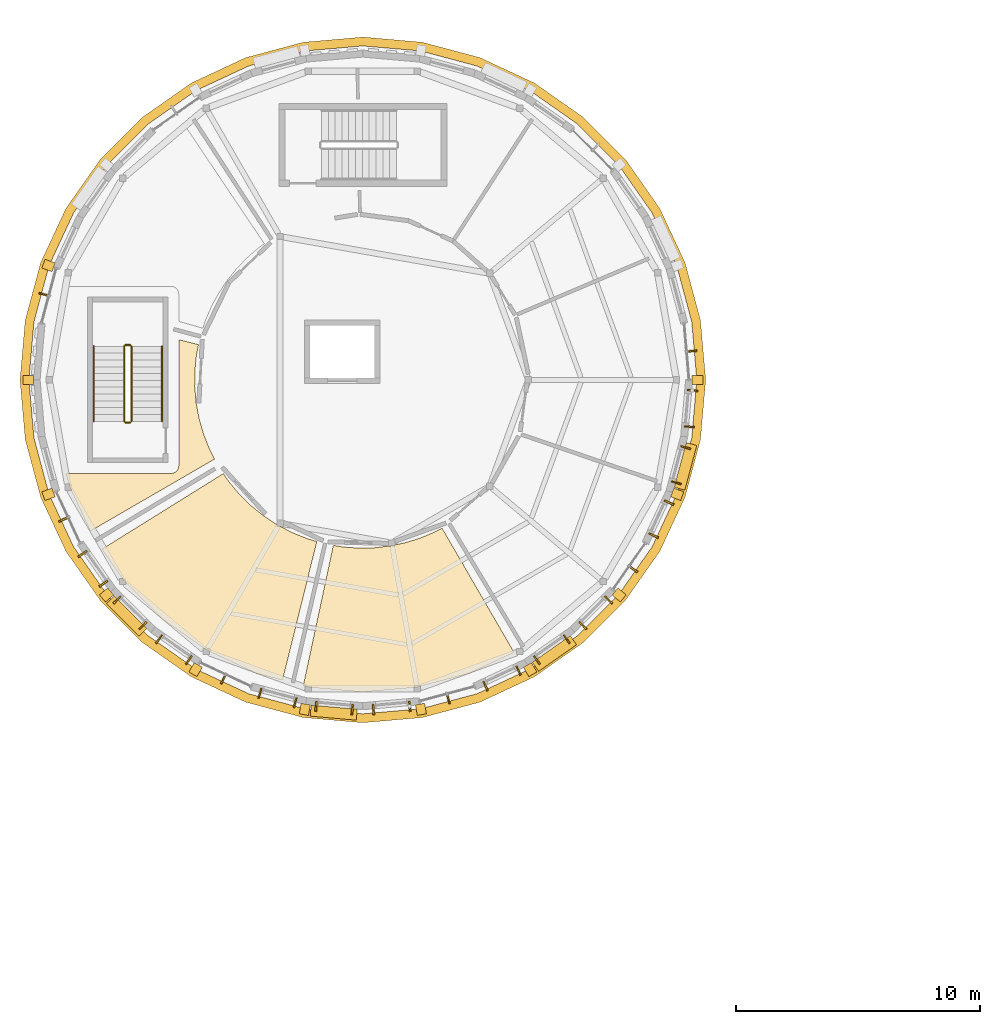
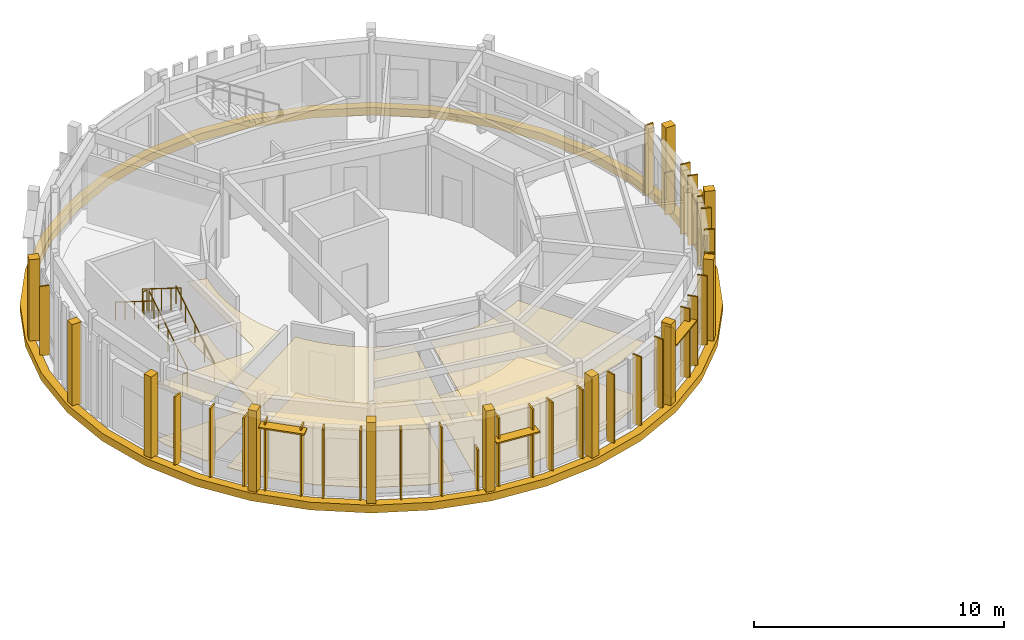
# One storey, part 28 of 30: 34 shading devices, 18 coverings, 6 railings.
"""IFC4 building model written with IfcOpenShell, lengths in metres."""

from ifc_helpers import new_model, si_unit, direction, frame, origin, origin_2d, place, context, subcontext, project, spatial, polyline, rectangle, circle, outline, extrude, material, layer, layer_set, type_object, element, save


model = new_model("IFC4")

# Units and contexts
model_context = context("Model", 3, precision=1e-05, world=origin(), true_north=direction((0.0, 1.0)))
body_context = subcontext(model_context, "Body", "Model", "MODEL_VIEW")
ifc_project = project(units=[si_unit("LENGTHUNIT", "METRE"), si_unit("AREAUNIT", "SQUARE_METRE"), si_unit("VOLUMEUNIT", "CUBIC_METRE"), si_unit("PLANEANGLEUNIT", "RADIAN"), si_unit("MASSUNIT", "GRAM", prefix="KILO")], contexts=[model_context])

# Site, building, storey
site_placement = place(None, origin())
site = spatial("IfcSite", under=ifc_project, at=site_placement, CompositionType="ELEMENT")
building_placement = place(site_placement, origin())
building = spatial("IfcBuilding", under=site, at=building_placement, Name="Aldenvaro Health Centre", CompositionType="ELEMENT")
storey_placement = place(building_placement, frame((0.0, 0.0, 17.14990234375)))
storey = spatial("IfcBuildingStorey", under=building, at=storey_placement, Name="L04", CompositionType="ELEMENT", Elevation=17.14990234375)

# Coverings
ifc_material_1 = material(Name="Antimicrobial Mineral Fibre Ceiling")
ifc_layer_1 = layer(ifc_material_1, 0.01806640625, Name="Antimicrobial Mineral Fibre Ceiling")
ifc_layer_set_1 = layer_set([ifc_layer_1], Name="Antimicrobial Mineral Fibre Ceiling")
covering_type_1 = type_object("IfcCoveringType", Name="COV-CLG-ACT18", PredefinedType="CEILING", material=ifc_layer_set_1)
covering_1_placement = place(storey_placement, frame((0.0, 0.0, 2.75)))
element("IfcCovering", 1, at=covering_1_placement, inside=storey, type_object=covering_type_1, Name="D4-L04-R02 Suspended Ceiling", PredefinedType="CEILING", context=body_context, shape_type="SweptSolid", body=[
    extrude(outline(polyline([(7.305908203125, 93.2880859375), (6.4541015625, 95.115966796875), (6.30810546875, 95.659912109375), (10.6201171875, 95.659912109375), (10.632080078125, 95.659912109375), (10.639892578125, 95.660888671875), (10.6630859375, 95.6630859375), (10.6708984375, 95.6640625), (10.694091796875, 95.6689453125), (10.701904296875, 95.6708984375), (10.72412109375, 95.677001953125), (10.73095703125, 95.679931640625), (10.7529296875, 95.68896484375), (10.760009765625, 95.69189453125), (10.781005859375, 95.7041015625), (10.7880859375, 95.7080078125), (10.806884765625, 95.720947265625), (10.81396484375, 95.72509765625), (10.83203125, 95.739990234375), (10.837890625, 95.74609375), (10.85400390625, 95.761962890625), (10.860107421875, 95.76806640625), (10.875, 95.785888671875), (10.87890625, 95.79296875), (10.89208984375, 95.81201171875), (10.89599609375, 95.819091796875), (10.907958984375, 95.840087890625), (10.910888671875, 95.846923828125), (10.919921875, 95.868896484375), (10.923095703125, 95.8759765625), (10.928955078125, 95.89794921875), (10.930908203125, 95.906005859375), (10.93603515625, 95.928955078125), (10.93701171875, 95.93701171875), (10.93896484375, 95.9599609375), (10.93994140625, 95.968017578125), (10.93994140625, 95.97998046875), (10.93994140625, 101.15087890625), (11.7509765625, 100.947998046875), (11.6689453125, 100.5419921875), (11.666015625, 100.51904296875), (11.60107421875, 99.87890625), (11.59912109375, 99.85595703125), (11.595947265625, 99.212890625), (11.596923828125, 99.18994140625), (11.656005859375, 98.550048828125), (11.658935546875, 98.527099609375), (11.779052734375, 97.89501953125), (11.784912109375, 97.873046875), (11.965087890625, 97.256103515625), (11.971923828125, 97.23388671875), (12.2109375, 96.636962890625), (12.220947265625, 96.615966796875), (12.410888671875, 96.248046875), (7.305908203125, 93.2880859375)])), origin(), (0.0, 0.0, 1.0), 0.01806640625),
])
covering_2_placement = place(storey_placement, frame((0.0, 0.0, 2.75)))
element("IfcCovering", 2, at=covering_2_placement, inside=storey, type_object=covering_type_1, Name="D4-L04-R03 Suspended Ceiling", PredefinedType="CEILING", context=body_context, shape_type="SweptSolid", body=[
    extrude(outline(polyline([(13.006103515625, 95.31005859375), (13.02001953125, 95.2919921875), (13.43505859375, 94.800048828125), (13.449951171875, 94.783935546875), (13.910888671875, 94.3349609375), (13.927978515625, 94.319091796875), (14.428955078125, 93.9169921875), (14.447998046875, 93.903076171875), (14.986083984375, 93.551025390625), (15.006103515625, 93.5390625), (15.574951171875, 93.239990234375), (15.595947265625, 93.22998046875), (16.19091796875, 92.987060546875), (16.212890625, 92.97998046875), (16.610107421875, 92.861083984375), (15.199951171875, 87.1640625), (14.115966796875, 87.4541015625), (12.091064453125, 88.39794921875), (10.260009765625, 89.679931640625), (8.679931640625, 91.260009765625), (7.780029296875, 92.544921875), (12.77001953125, 95.65087890625), (13.006103515625, 95.31005859375)])), origin(), (0.0, 0.0, 1.0), 0.01806640625),
])
covering_3_placement = place(storey_placement, frame((0.0, 0.0, 2.75)))
element("IfcCovering", 3, at=covering_3_placement, inside=storey, type_object=covering_type_1, Name="D4-L04-R04 Suspended Ceiling", PredefinedType="CEILING", context=body_context, shape_type="SweptSolid", body=[
    extrude(outline(polyline([(17.66796875, 92.64111328125), (17.68994140625, 92.637939453125), (18.302001953125, 92.593017578125), (18.323974609375, 92.592041015625), (18.93798828125, 92.60400390625), (18.9599609375, 92.60595703125), (19.570068359375, 92.674072265625), (19.592041015625, 92.677001953125), (20.193115234375, 92.801025390625), (20.214111328125, 92.805908203125), (20.802001953125, 92.985107421875), (20.822998046875, 92.991943359375), (21.39111328125, 93.22412109375), (21.410888671875, 93.23291015625), (21.751953125, 93.410888671875), (24.7119140625, 88.305908203125), (22.884033203125, 87.4541015625), (20.72607421875, 86.8759765625), (18.5, 86.680908203125), (16.27392578125, 86.8759765625), (16.052001953125, 86.93603515625), (17.2880859375, 92.7041015625), (17.66796875, 92.64111328125)])), origin(), (0.0, 0.0, 1.0), 0.01806640625),
])
ifc_material_2 = material(Name="Honed Sonoran Buff Limestone", Category="masonry")
ifc_layer_2 = layer(ifc_material_2, 0.280029296875, Name="Honed Sonoran Buff Limestone", Category="masonry")
ifc_layer_set_2 = layer_set([ifc_layer_2], Name="Honed Sonoran Buff Limestone")
covering_type_2 = type_object("IfcCoveringType", Name="COV-CRN-STN", PredefinedType="CLADDING", material=ifc_layer_set_2)
covering_4_placement = place(storey_placement, frame((0.0, 0.0, -0.33984375)))
element("IfcCovering", 4, at=covering_4_placement, inside=storey, type_object=covering_type_2, Name="D4 L04 Classical Stone Entablature Cornice 1", PredefinedType="CLADDING", context=body_context, shape_type="SweptSolid", body=[
    extrude(outline(polyline([(32.580078125, 99.5), (32.365966796875, 101.945068359375), (31.73095703125, 104.31591796875), (30.694091796875, 106.5400390625), (29.285888671875, 108.550048828125), (27.550048828125, 110.285888671875), (25.5400390625, 111.694091796875), (23.31591796875, 112.73095703125), (20.945068359375, 113.365966796875), (18.5, 113.580078125), (16.054931640625, 113.365966796875), (13.68408203125, 112.73095703125), (11.4599609375, 111.694091796875), (9.449951171875, 110.285888671875), (7.714111328125, 108.550048828125), (6.305908203125, 106.5400390625), (5.26904296875, 104.31591796875), (4.634033203125, 101.945068359375), (4.419921875, 99.5), (4.634033203125, 97.054931640625), (5.26904296875, 94.68408203125), (6.305908203125, 92.4599609375), (7.714111328125, 90.449951171875), (9.449951171875, 88.714111328125), (11.4599609375, 87.305908203125), (13.68408203125, 86.26904296875), (16.054931640625, 85.634033203125), (18.5, 85.419921875), (20.945068359375, 85.634033203125), (23.31591796875, 86.26904296875), (25.5400390625, 87.305908203125), (27.550048828125, 88.714111328125), (29.285888671875, 90.449951171875), (30.694091796875, 92.4599609375), (31.73095703125, 94.68408203125), (32.365966796875, 97.054931640625), (32.580078125, 99.5)]), holes=[polyline([(32.215087890625, 99.5), (32.007080078125, 97.117919921875), (31.387939453125, 94.80908203125), (30.3779296875, 92.64208984375), (29.006103515625, 90.68408203125), (27.31591796875, 88.993896484375), (25.35791015625, 87.6220703125), (23.19091796875, 86.612060546875), (20.882080078125, 85.992919921875), (18.5, 85.784912109375), (16.117919921875, 85.992919921875), (13.80908203125, 86.612060546875), (11.64208984375, 87.6220703125), (9.68408203125, 88.993896484375), (7.993896484375, 90.68408203125), (6.6220703125, 92.64208984375), (5.612060546875, 94.80908203125), (4.992919921875, 97.117919921875), (4.784912109375, 99.5), (4.992919921875, 101.882080078125), (5.612060546875, 104.19091796875), (6.6220703125, 106.35791015625), (7.993896484375, 108.31591796875), (9.68408203125, 110.006103515625), (11.64306640625, 111.3779296875), (13.80908203125, 112.387939453125), (16.117919921875, 113.007080078125), (18.5, 113.215087890625), (20.882080078125, 113.007080078125), (23.19091796875, 112.387939453125), (25.35791015625, 111.3779296875), (27.31591796875, 110.006103515625), (29.006103515625, 108.31591796875), (30.3779296875, 106.35791015625), (31.387939453125, 104.19091796875), (32.007080078125, 101.882080078125), (32.215087890625, 99.5)])]), origin(), (0.0, 0.0, 1.0), 0.3798828125),
])
for number, where, z_axis, x_axis, name in (
    (5, (32.239990234375, 99.5, -0.00048828125), (0.0, 0.0, 1.0), (1.0, 0.0, 0.0), "D4 L04 Engaged Classical Limestone Pilaster 01"),
    (6, (31.410888671875, 94.801025390625, -0.00048828125), (0.0, 0.0, 1.0), (0.939695335552, -0.342012684476, 0.0), "D4 L04 Engaged Classical Limestone Pilaster 02"),
    (7, (29.02587890625, 90.66796875, -0.00048828125), (0.0, 0.0, 1.0), (0.766057587935, -0.642771943979, 0.0), "D4 L04 Engaged Classical Limestone Pilaster 03"),
    (8, (25.3701171875, 87.60107421875, -0.00048828125), (0.0, 0.0, 1.0), (0.499991611653, -0.866030246745, 0.0), "D4 L04 Engaged Classical Limestone Pilaster 04"),
    (9, (20.885986328125, 85.968994140625, -0.00048828125), (0.0, 0.0, 1.0), (0.173661868999, -0.984805338763, 0.0), "D4 L04 Engaged Classical Limestone Pilaster 05"),
    (10, (16.114013671875, 85.968994140625, -0.00048828125), (0.0, 0.0, 1.0), (-0.173661868999, -0.984805338763, 0.0), "D4 L04 Engaged Classical Limestone Pilaster 06"),
    (11, (11.6298828125, 87.60107421875, -0.00048828125), (0.0, 0.0, 1.0), (-0.499991611653, -0.866030246745, 0.0), "D4 L04 Engaged Classical Limestone Pilaster 07"),
    (12, (7.97412109375, 90.66796875, -0.00048828125), (0.0, 0.0, 1.0), (-0.766057587935, -0.642771943979, 0.0), "D4 L04 Engaged Classical Limestone Pilaster 08"),
    (13, (5.589111328125, 94.801025390625, -0.00048828125), (0.0, 0.0, 1.0), (-0.939695335552, -0.342012684476, 0.0), "D4 L04 Engaged Classical Limestone Pilaster 09"),
    (14, (4.760009765625, 99.5, -0.00048828125), (0.0, 0.0, 1.0), (-1.0, 0.0, 0.0), "D4 L04 Engaged Classical Limestone Pilaster 10"),
    (15, (5.589111328125, 104.198974609375, -0.00048828125), (0.0, 0.0, 1.0), (-0.939695335552, 0.342012684476, 0.0), "D4 L04 Engaged Classical Limestone Pilaster 11"),
):
    element("IfcCovering", number, at=place(storey_placement, frame(where, z_axis=z_axis, x_axis=x_axis)), inside=storey, type_object=covering_type_2, Name=name, PredefinedType="CLADDING", context=body_context, shape_type="SweptSolid", body=[
        extrude(rectangle(XDim=0.43994140625, YDim=0.3798828125, at=origin_2d()), origin(), (0.0, 0.0, 1.0), 4.014892578125),
    ])
ifc_material_3 = material(Name="Polished Epoxy Terrazzo Flooring")
ifc_layer_3 = layer(ifc_material_3, 0.02197265625, Name="Polished Epoxy Terrazzo Flooring")
ifc_layer_set_3 = layer_set([ifc_layer_3], Name="Polished Epoxy Terrazzo Flooring")
covering_type_3 = type_object("IfcCoveringType", Name="COV-FLR-TER22", PredefinedType="FLOORING", material=ifc_layer_set_3)
covering_5_placement = place(storey_placement, origin())
element("IfcCovering", 16, at=covering_5_placement, inside=storey, type_object=covering_type_3, Name="D4-L04-R02 Flooring", PredefinedType="FLOORING", context=body_context, shape_type="SweptSolid", body=[
    extrude(outline(polyline([(7.305908203125, 93.2880859375), (6.4541015625, 95.115966796875), (6.30810546875, 95.659912109375), (10.6201171875, 95.659912109375), (10.632080078125, 95.659912109375), (10.639892578125, 95.660888671875), (10.6630859375, 95.6630859375), (10.6708984375, 95.6640625), (10.694091796875, 95.6689453125), (10.701904296875, 95.6708984375), (10.72412109375, 95.677001953125), (10.73095703125, 95.679931640625), (10.7529296875, 95.68896484375), (10.760009765625, 95.69189453125), (10.781005859375, 95.7041015625), (10.7880859375, 95.7080078125), (10.806884765625, 95.720947265625), (10.81396484375, 95.72509765625), (10.83203125, 95.739990234375), (10.837890625, 95.74609375), (10.85400390625, 95.761962890625), (10.860107421875, 95.76806640625), (10.875, 95.785888671875), (10.87890625, 95.79296875), (10.89208984375, 95.81201171875), (10.89599609375, 95.819091796875), (10.907958984375, 95.840087890625), (10.910888671875, 95.846923828125), (10.919921875, 95.868896484375), (10.923095703125, 95.8759765625), (10.928955078125, 95.89794921875), (10.930908203125, 95.906005859375), (10.93603515625, 95.928955078125), (10.93701171875, 95.93701171875), (10.93896484375, 95.9599609375), (10.93994140625, 95.968017578125), (10.93994140625, 95.97998046875), (10.93994140625, 101.15087890625), (11.7509765625, 100.947998046875), (11.6689453125, 100.5419921875), (11.666015625, 100.51904296875), (11.60107421875, 99.87890625), (11.59912109375, 99.85595703125), (11.595947265625, 99.212890625), (11.596923828125, 99.18994140625), (11.656005859375, 98.550048828125), (11.658935546875, 98.527099609375), (11.779052734375, 97.89501953125), (11.784912109375, 97.873046875), (11.965087890625, 97.256103515625), (11.971923828125, 97.23388671875), (12.2109375, 96.636962890625), (12.220947265625, 96.615966796875), (12.410888671875, 96.248046875), (7.305908203125, 93.2880859375)])), origin(), (0.0, 0.0, 1.0), 0.022216796875),
])
covering_6_placement = place(storey_placement, origin())
element("IfcCovering", 17, at=covering_6_placement, inside=storey, type_object=covering_type_3, Name="D4-L04-R03 Flooring", PredefinedType="FLOORING", context=body_context, shape_type="SweptSolid", body=[
    extrude(outline(polyline([(13.006103515625, 95.31005859375), (13.02001953125, 95.2919921875), (13.43505859375, 94.800048828125), (13.449951171875, 94.783935546875), (13.910888671875, 94.3349609375), (13.927978515625, 94.319091796875), (14.428955078125, 93.9169921875), (14.447998046875, 93.903076171875), (14.986083984375, 93.551025390625), (15.006103515625, 93.5390625), (15.574951171875, 93.239990234375), (15.595947265625, 93.22998046875), (16.19091796875, 92.987060546875), (16.212890625, 92.97998046875), (16.610107421875, 92.861083984375), (15.199951171875, 87.1640625), (14.115966796875, 87.4541015625), (12.091064453125, 88.39794921875), (10.260009765625, 89.679931640625), (8.679931640625, 91.260009765625), (7.780029296875, 92.544921875), (12.77001953125, 95.65087890625), (13.006103515625, 95.31005859375)])), origin(), (0.0, 0.0, 1.0), 0.022216796875),
])
covering_7_placement = place(storey_placement, origin())
element("IfcCovering", 18, at=covering_7_placement, inside=storey, type_object=covering_type_3, Name="D4-L04-R04 Flooring", PredefinedType="FLOORING", context=body_context, shape_type="SweptSolid", body=[
    extrude(outline(polyline([(17.66796875, 92.64111328125), (17.68994140625, 92.637939453125), (18.302001953125, 92.593017578125), (18.323974609375, 92.592041015625), (18.93798828125, 92.60400390625), (18.9599609375, 92.60595703125), (19.570068359375, 92.674072265625), (19.592041015625, 92.677001953125), (20.193115234375, 92.801025390625), (20.214111328125, 92.805908203125), (20.802001953125, 92.985107421875), (20.822998046875, 92.991943359375), (21.39111328125, 93.22412109375), (21.410888671875, 93.23291015625), (21.751953125, 93.410888671875), (24.7119140625, 88.305908203125), (22.884033203125, 87.4541015625), (20.72607421875, 86.8759765625), (18.5, 86.680908203125), (16.27392578125, 86.8759765625), (16.052001953125, 86.93603515625), (17.2880859375, 92.7041015625), (17.66796875, 92.64111328125)])), origin(), (0.0, 0.0, 1.0), 0.022216796875),
])

# Railings
ifc_material_4 = material(Name="Painted Architectural Steel", Category="steel")
railing_type_1 = type_object("IfcRailingType", Name="RL-BAL-INT", PredefinedType="BALUSTRADE", material=ifc_material_4)
railing_1_placement = place(storey_placement, frame((9.0, 97.800048828125, 0.175048828125)))
element("IfcRailing", 19, at=railing_1_placement, inside=storey, type_object=railing_type_1, Name="L04 ST-08 stair guard 1", PredefinedType="BALUSTRADE", context=body_context, shape_type="SweptSolid", body=[
    extrude(circle(Radius=0.02392578125, at=origin_2d()), frame((0.0, 0.0, 1.076171875), z_axis=(0.0, 0.847979421464, 0.530029150871), x_axis=(-1.0, 0.0, 0.0)), (0.0, 0.0, 1.0), 3.632080078125),
    extrude(circle(Radius=0.02099609375, at=origin_2d()), origin(), (0.0, 0.0, 1.0), 1.052001953125),
    extrude(circle(Radius=0.02099609375, at=origin_2d()), frame((0.0, 0.77001953125, 0.481201171875)), (0.0, 0.0, 1.0), 1.052001953125),
    extrude(circle(Radius=0.02099609375, at=origin_2d()), frame((0.0, 1.5400390625, 0.96240234375)), (0.0, 0.0, 1.0), 1.052001953125),
    extrude(circle(Radius=0.02099609375, at=origin_2d()), frame((0.0, 2.309814453125, 1.44384765625)), (0.0, 0.0, 1.0), 1.052001953125),
    extrude(circle(Radius=0.02099609375, at=origin_2d()), frame((0.0, 3.079833984375, 1.925048828125)), (0.0, 0.0, 1.0), 1.052001953125),
])
railing_2_placement = place(storey_placement, frame((8.949951171875, 100.929931640625, 2.10009765625)))
element("IfcRailing", 20, at=railing_2_placement, inside=storey, type_object=railing_type_1, Name="L04 ST-08 stair guard 2", PredefinedType="BALUSTRADE", context=body_context, shape_type="SweptSolid", body=[
    extrude(circle(Radius=0.02392578125, at=origin_2d()), frame((0.0, 0.0, 1.076171875), z_axis=(-1.0, 0.0, 0.0), x_axis=(0.0, -1.0, 0.0)), (0.0, 0.0, 1.0), 0.199951171875),
    extrude(circle(Radius=0.02099609375, at=origin_2d()), origin(), (0.0, 0.0, 1.0), 1.052001953125),
    extrude(circle(Radius=0.02099609375, at=origin_2d()), frame((-0.199951171875, 0.0, 0.0)), (0.0, 0.0, 1.0), 1.052001953125),
])
railing_3_placement = place(storey_placement, frame((8.699951171875, 100.8798828125, 2.275146484375)))
element("IfcRailing", 21, at=railing_3_placement, inside=storey, type_object=railing_type_1, Name="L04 ST-08 stair guard 3", PredefinedType="BALUSTRADE", context=body_context, shape_type="SweptSolid", body=[
    extrude(circle(Radius=0.02392578125, at=origin_2d()), frame((0.0, 0.0, 1.076171875), z_axis=(0.0, -0.847979421464, 0.530029150871), x_axis=(1.0, 0.0, 0.0)), (0.0, 0.0, 1.0), 3.632080078125),
    extrude(circle(Radius=0.02099609375, at=origin_2d()), origin(), (0.0, 0.0, 1.0), 1.052001953125),
    extrude(circle(Radius=0.02099609375, at=origin_2d()), frame((0.0, -0.77001953125, 0.481201171875)), (0.0, 0.0, 1.0), 1.052001953125),
    extrude(circle(Radius=0.02099609375, at=origin_2d()), frame((0.0, -1.5400390625, 0.96240234375)), (0.0, 0.0, 1.0), 1.052001953125),
    extrude(circle(Radius=0.02099609375, at=origin_2d()), frame((0.0, -2.309814453125, 1.44384765625)), (0.0, 0.0, 1.0), 1.052001953125),
    extrude(circle(Radius=0.02099609375, at=origin_2d()), frame((0.0, -3.079833984375, 1.925048828125)), (0.0, 0.0, 1.0), 1.052001953125),
])
railing_4_placement = place(storey_placement, frame((8.949951171875, 97.75, 0.0)))
element("IfcRailing", 22, at=railing_4_placement, inside=storey, type_object=railing_type_1, Name="L04 ST-08 stair guard 4", PredefinedType="BALUSTRADE", context=body_context, shape_type="SweptSolid", body=[
    extrude(circle(Radius=0.02392578125, at=origin_2d()), frame((0.0, 0.0, 1.076171875), z_axis=(-1.0, 0.0, 0.0), x_axis=(0.0, -1.0, 0.0)), (0.0, 0.0, 1.0), 0.199951171875),
    extrude(circle(Radius=0.02099609375, at=origin_2d()), origin(), (0.0, 0.0, 1.0), 1.052001953125),
    extrude(circle(Radius=0.02099609375, at=origin_2d()), frame((-0.199951171875, 0.0, 0.0)), (0.0, 0.0, 1.0), 1.052001953125),
])
railing_type_2 = type_object("IfcRailingType", Name="RL-HND-INT", PredefinedType="HANDRAIL", material=ifc_material_4)
railing_5_placement = place(storey_placement, frame((10.25, 97.800048828125, 0.175048828125)))
element("IfcRailing", 23, at=railing_5_placement, inside=storey, type_object=railing_type_2, Name="L04 ST-08 stair handrail 1", PredefinedType="HANDRAIL", context=body_context, shape_type="SweptSolid", body=[
    extrude(circle(Radius=0.02392578125, at=origin_2d()), frame((0.0, 0.0, 0.8759765625), z_axis=(0.0, 0.847979421464, 0.530029150871), x_axis=(-1.0, 0.0, 0.0)), (0.0, 0.0, 1.0), 3.632080078125),
    extrude(circle(Radius=0.02099609375, at=origin_2d()), origin(), (0.0, 0.0, 1.0), 0.851806640625),
    extrude(circle(Radius=0.02099609375, at=origin_2d()), frame((0.0, 0.77001953125, 0.481201171875)), (0.0, 0.0, 1.0), 0.851806640625),
    extrude(circle(Radius=0.02099609375, at=origin_2d()), frame((0.0, 1.5400390625, 0.96240234375)), (0.0, 0.0, 1.0), 0.851806640625),
    extrude(circle(Radius=0.02099609375, at=origin_2d()), frame((0.0, 2.309814453125, 1.44384765625)), (0.0, 0.0, 1.0), 0.851806640625),
    extrude(circle(Radius=0.02099609375, at=origin_2d()), frame((0.0, 3.079833984375, 1.925048828125)), (0.0, 0.0, 1.0), 0.851806640625),
])
railing_6_placement = place(storey_placement, frame((7.449951171875, 100.8798828125, 2.275146484375)))
element("IfcRailing", 24, at=railing_6_placement, inside=storey, type_object=railing_type_2, Name="L04 ST-08 stair handrail 2", PredefinedType="HANDRAIL", context=body_context, shape_type="SweptSolid", body=[
    extrude(circle(Radius=0.02392578125, at=origin_2d()), frame((0.0, 0.0, 0.8759765625), z_axis=(0.0, -0.847979421464, 0.530029150871), x_axis=(1.0, 0.0, 0.0)), (0.0, 0.0, 1.0), 3.632080078125),
    extrude(circle(Radius=0.02099609375, at=origin_2d()), origin(), (0.0, 0.0, 1.0), 0.851806640625),
    extrude(circle(Radius=0.02099609375, at=origin_2d()), frame((0.0, -0.77001953125, 0.481201171875)), (0.0, 0.0, 1.0), 0.851806640625),
    extrude(circle(Radius=0.02099609375, at=origin_2d()), frame((0.0, -1.5400390625, 0.96240234375)), (0.0, 0.0, 1.0), 0.851806640625),
    extrude(circle(Radius=0.02099609375, at=origin_2d()), frame((0.0, -2.309814453125, 1.44384765625)), (0.0, 0.0, 1.0), 0.851806640625),
    extrude(circle(Radius=0.02099609375, at=origin_2d()), frame((0.0, -3.079833984375, 1.925048828125)), (0.0, 0.0, 1.0), 0.851806640625),
])

# Shading devices
ifc_material_5 = material(Name="Douglas Fir Exterior Glulam GL28h", Category="wood")
shading_device_type_1 = type_object("IfcShadingDeviceType", Name="SHD-FIN-205", PredefinedType="USERDEFINED", material=ifc_material_5)
for number, where, z_axis, x_axis, name in (
    (25, (32.0380859375, 99.06591796875, -0.02001953125), (0.0, 0.0, 1.0), (-0.087331575855, -0.996179299052, 0.0), "D4 L04 Douglas fir fin 1.1"),
    (26, (15.721923828125, 86.243896484375, -0.02001953125), (0.0, 0.0, 1.0), (-0.965978620089, 0.258621935517, 0.0), "D4 L04 Douglas fir fin 11.1"),
):
    element("IfcShadingDevice", number, at=place(storey_placement, frame(where, z_axis=z_axis, x_axis=x_axis)), inside=storey, type_object=shading_device_type_1, Name=name, ObjectType="FIN", PredefinedType="USERDEFINED", context=body_context, shape_type="SweptSolid", body=[
        extrude(rectangle(XDim=0.06494140625, YDim=0.419921875, at=origin_2d()), origin(), (0.0, 0.0, 1.0), 2.050048828125),
    ])
shading_device_type_2 = type_object("IfcShadingDeviceType", Name="SHD-FIN-340", PredefinedType="USERDEFINED", material=ifc_material_5)
for number, where, z_axis, x_axis, name in (
    (27, (29.60693359375, 91.722900390625, -0.019775390625), (0.0, 0.0, 1.0), (-0.573720929857, -0.819050849853, 0.0), "D4 L04 vertical timber fin 4.0"),
    (28, (18.06591796875, 85.9619140625, -0.019775390625), (0.0, 0.0, 1.0), (-0.996179299052, 0.087331575855, 0.0), "D4 L04 Douglas fir fin 10.1"),
    (29, (16.575927734375, 86.093017578125, -0.019775390625), (0.0, 0.0, 1.0), (-0.996179299052, 0.087331575855, 0.0), "D4 L04 Douglas fir fin 10.3"),
    (30, (6.2109375, 93.77001953125, -0.019775390625), (0.0, 0.0, 1.0), (-0.422557314215, 0.90633620484, 0.0), "D4 L04 vertical timber fin 16.0"),
):
    element("IfcShadingDevice", number, at=place(storey_placement, frame(where, z_axis=z_axis, x_axis=x_axis)), inside=storey, type_object=shading_device_type_2, Name=name, ObjectType="FIN", PredefinedType="USERDEFINED", context=body_context, shape_type="SweptSolid", body=[
        extrude(rectangle(XDim=0.074951171875, YDim=0.419921875, at=origin_2d()), origin(), (0.0, 0.0, 1.0), 3.39990234375),
    ])
shading_device_type_3 = type_object("IfcShadingDeviceType", Name="SHD-FIN-380", PredefinedType="USERDEFINED", material=ifc_material_5)
for number, where, z_axis, x_axis, name in (
    (31, (31.072998046875, 94.4619140625, -0.0205078125), (0.0, 0.0, 1.0), (-0.422557314215, -0.90633620484, 0.0), "D4 L04 Douglas fir fin 3.1"),
    (32, (30.44091796875, 93.10693359375, -0.0205078125), (0.0, 0.0, 1.0), (-0.422557314215, -0.90633620484, 0.0), "D4 L04 Douglas fir fin 3.3"),
    (33, (20.424072265625, 86.093017578125, -0.0205078125), (0.0, 0.0, 1.0), (-0.996179299052, -0.087331575855, 0.0), "D4 L04 Douglas fir fin 9.1"),
    (34, (18.93408203125, 85.9619140625, -0.0205078125), (0.0, 0.0, 1.0), (-0.996179299052, -0.087331575855, 0.0), "D4 L04 Douglas fir fin 9.3"),
    (35, (7.85107421875, 91.131103515625, -0.0205078125), (0.0, 0.0, 1.0), (-0.573720929857, 0.819050849853, 0.0), "D4 L04 Douglas fir fin 15.1"),
    (36, (6.992919921875, 92.35595703125, -0.0205078125), (0.0, 0.0, 1.0), (-0.573720929857, 0.819050849853, 0.0), "D4 L04 Douglas fir fin 15.3"),
):
    element("IfcShadingDevice", number, at=place(storey_placement, frame(where, z_axis=z_axis, x_axis=x_axis)), inside=storey, type_object=shading_device_type_3, Name=name, ObjectType="FIN", PredefinedType="USERDEFINED", context=body_context, shape_type="SweptSolid", body=[
        extrude(rectangle(XDim=0.074951171875, YDim=0.419921875, at=origin_2d()), origin(), (0.0, 0.0, 1.0), 3.408935546875),
    ])
shading_device_type_4 = type_object("IfcShadingDeviceType", Name="SHD-FIN-400", PredefinedType="USERDEFINED", material=ifc_material_5)
for number, where, z_axis, x_axis, name in (
    (37, (31.756103515625, 96.721923828125, -0.0205078125), (0.0, 0.0, 1.0), (-0.258621935517, -0.965978620089, 0.0), "D4 L04 Douglas fir fin 2.1"),
    (38, (31.3701171875, 95.277099609375, -0.0205078125), (0.0, 0.0, 1.0), (-0.258621935517, -0.965978620089, 0.0), "D4 L04 Douglas fir fin 2.3"),
    (39, (22.009033203125, 86.403076171875, -0.0205078125), (0.0, 0.0, 1.0), (-0.965978620089, -0.258621935517, 0.0), "D4 L04 vertical timber fin 8.0"),
    (40, (9.466064453125, 89.407958984375, -0.0205078125), (0.0, 0.0, 1.0), (-0.707106781187, 0.707106781187, 0.0), "D4 L04 Douglas fir fin 14.1"),
    (41, (8.407958984375, 90.466064453125, -0.0205078125), (0.0, 0.0, 1.0), (-0.707106781187, 0.707106781187, 0.0), "D4 L04 Douglas fir fin 14.3"),
    (42, (5.403076171875, 103.009033203125, -0.0205078125), (0.0, 0.0, 1.0), (0.258621935517, 0.965978620089, 0.0), "D4 L04 vertical timber fin 20.0"),
):
    element("IfcShadingDevice", number, at=place(storey_placement, frame(where, z_axis=z_axis, x_axis=x_axis)), inside=storey, type_object=shading_device_type_4, Name=name, ObjectType="FIN", PredefinedType="USERDEFINED", context=body_context, shape_type="SweptSolid", body=[
        extrude(rectangle(XDim=0.06494140625, YDim=0.419921875, at=origin_2d()), origin(), (0.0, 0.0, 1.0), 3.408935546875),
    ])
shading_device_type_5 = type_object("IfcShadingDeviceType", Name="SHD-FIN-420", PredefinedType="USERDEFINED", material=ifc_material_5)
for number, where, z_axis, x_axis, name in (
    (43, (31.906982421875, 97.575927734375, -0.0205078125), (0.0, 0.0, 1.0), (-0.087331575855, -0.996179299052, 0.0), "D4 L04 Douglas fir fin 1.3"),
    (44, (24.89306640625, 87.55908203125, -0.0205078125), (0.0, 0.0, 1.0), (-0.90633620484, -0.422557314215, 0.0), "D4 L04 Douglas fir fin 7.1"),
    (45, (23.5380859375, 86.927001953125, -0.0205078125), (0.0, 0.0, 1.0), (-0.90633620484, -0.422557314215, 0.0), "D4 L04 Douglas fir fin 7.3"),
    (46, (11.35595703125, 87.992919921875, -0.0205078125), (0.0, 0.0, 1.0), (-0.819050849853, 0.573720929857, 0.0), "D4 L04 Douglas fir fin 13.1"),
    (47, (10.131103515625, 88.85107421875, -0.0205078125), (0.0, 0.0, 1.0), (-0.819050849853, 0.573720929857, 0.0), "D4 L04 Douglas fir fin 13.3"),
):
    element("IfcShadingDevice", number, at=place(storey_placement, frame(where, z_axis=z_axis, x_axis=x_axis)), inside=storey, type_object=shading_device_type_5, Name=name, ObjectType="FIN", PredefinedType="USERDEFINED", context=body_context, shape_type="SweptSolid", body=[
        extrude(rectangle(XDim=0.06494140625, YDim=0.419921875, at=origin_2d()), origin(), (0.0, 0.0, 1.0), 3.408935546875),
    ])
shading_device_type_6 = type_object("IfcShadingDeviceType", Name="SHD-FIN-435", PredefinedType="USERDEFINED", material=ifc_material_5)
for number, where, z_axis, x_axis, name in (
    (48, (26.868896484375, 88.85107421875, -0.0205078125), (0.0, 0.0, 1.0), (-0.819050849853, -0.573720929857, 0.0), "D4 L04 Douglas fir fin 6.1"),
    (49, (25.64404296875, 87.992919921875, -0.0205078125), (0.0, 0.0, 1.0), (-0.819050849853, -0.573720929857, 0.0), "D4 L04 Douglas fir fin 6.3"),
    (50, (12.77001953125, 87.2109375, -0.0205078125), (0.0, 0.0, 1.0), (-0.90633620484, 0.422557314215, 0.0), "D4 L04 vertical timber fin 12.0"),
    (51, (32.007080078125, 100.681884765625, -0.0205078125), (0.0, 0.0, 1.0), (0.087331575855, -0.996179299052, 0.0), "D4 L04 vertical timber fin 36.0"),
):
    element("IfcShadingDevice", number, at=place(storey_placement, frame(where, z_axis=z_axis, x_axis=x_axis)), inside=storey, type_object=shading_device_type_6, Name=name, ObjectType="FIN", PredefinedType="USERDEFINED", context=body_context, shape_type="SweptSolid", body=[
        extrude(rectangle(XDim=0.06494140625, YDim=0.419921875, at=origin_2d()), origin(), (0.0, 0.0, 1.0), 3.408935546875),
    ])
shading_device_type_7 = type_object("IfcShadingDeviceType", Name="SHD-FIN-455", PredefinedType="USERDEFINED", material=ifc_material_5)
for number, where, z_axis, x_axis, name in (
    (52, (28.592041015625, 90.466064453125, -0.0205078125), (0.0, 0.0, 1.0), (-0.707106781187, -0.707106781187, 0.0), "D4 L04 Douglas fir fin 5.1"),
    (53, (27.533935546875, 89.407958984375, -0.0205078125), (0.0, 0.0, 1.0), (-0.707106781187, -0.707106781187, 0.0), "D4 L04 Douglas fir fin 5.3"),
    (54, (14.277099609375, 86.6298828125, -0.0205078125), (0.0, 0.0, 1.0), (-0.965978620089, 0.258621935517, 0.0), "D4 L04 Douglas fir fin 11.3"),
):
    element("IfcShadingDevice", number, at=place(storey_placement, frame(where, z_axis=z_axis, x_axis=x_axis)), inside=storey, type_object=shading_device_type_7, Name=name, ObjectType="FIN", PredefinedType="USERDEFINED", context=body_context, shape_type="SweptSolid", body=[
        extrude(rectangle(XDim=0.06494140625, YDim=0.419921875, at=origin_2d()), origin(), (0.0, 0.0, 1.0), 3.408935546875),
    ])
shading_device_type_8 = type_object("IfcShadingDeviceType", Name="SHD-LVR-190", PredefinedType="JALOUSIE", material=ifc_material_5)
for number, where, z_axis, x_axis, name in (
    (55, (31.7509765625, 95.948974609375, 2.397705078125), (0.0, 0.0, 1.0), (-0.258621935517, -0.965978620089, 0.0), "D4 L04 horizontal solar louvre 02"),
    (56, (26.368896484375, 88.261962890625, 2.697509765625), (0.0, 0.0, 1.0), (-0.819050849853, -0.573720929857, 0.0), "D4 L04 horizontal solar louvre 06"),
    (57, (17.303955078125, 85.8330078125, 2.297607421875), (0.0, 0.0, 1.0), (-0.996179299052, 0.087331575855, 0.0), "D4 L04 horizontal solar louvre 10"),
    (58, (8.799072265625, 89.799072265625, 3.197509765625), (0.0, 0.0, 1.0), (-0.707106781187, 0.707106781187, 0.0), "D4 L04 horizontal solar louvre 14"),
):
    element("IfcShadingDevice", number, at=place(storey_placement, frame(where, z_axis=z_axis, x_axis=x_axis)), inside=storey, type_object=shading_device_type_8, Name=name, PredefinedType="JALOUSIE", context=body_context, shape_type="SweptSolid", body=[
        extrude(rectangle(XDim=1.89990234375, YDim=0.449951171875, at=origin_2d()), origin(), (0.0, 0.0, 1.0), 0.06494140625),
    ])

save(model, "model.ifc")
